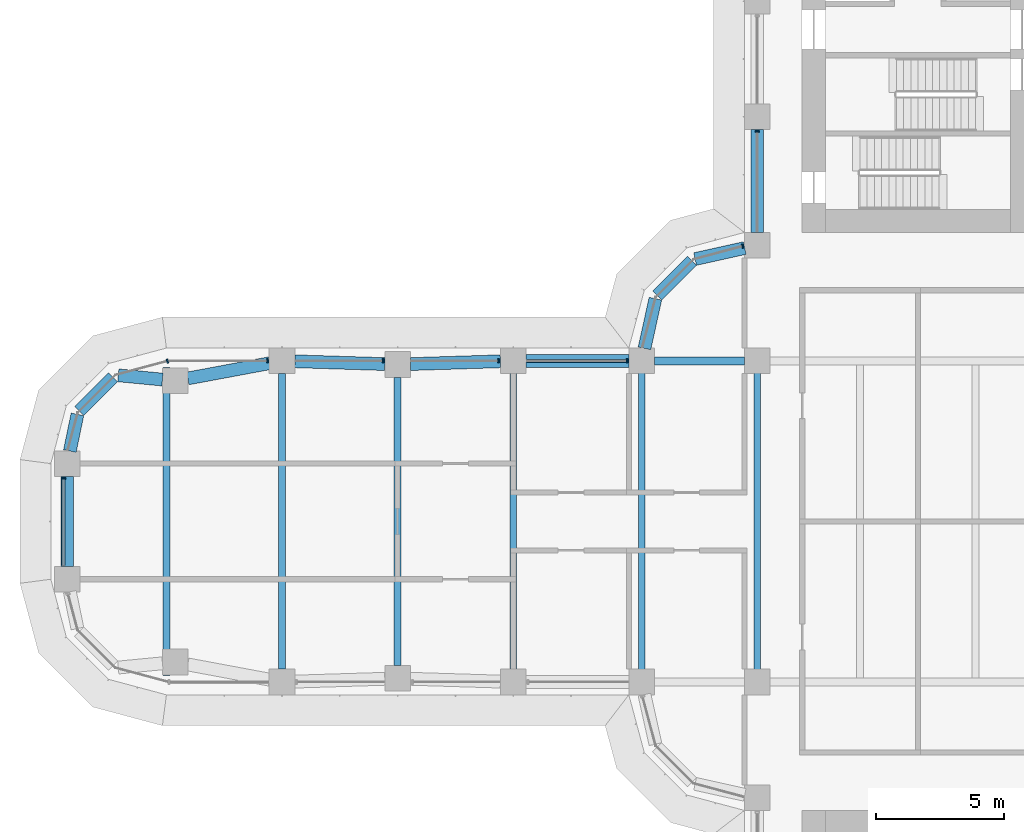
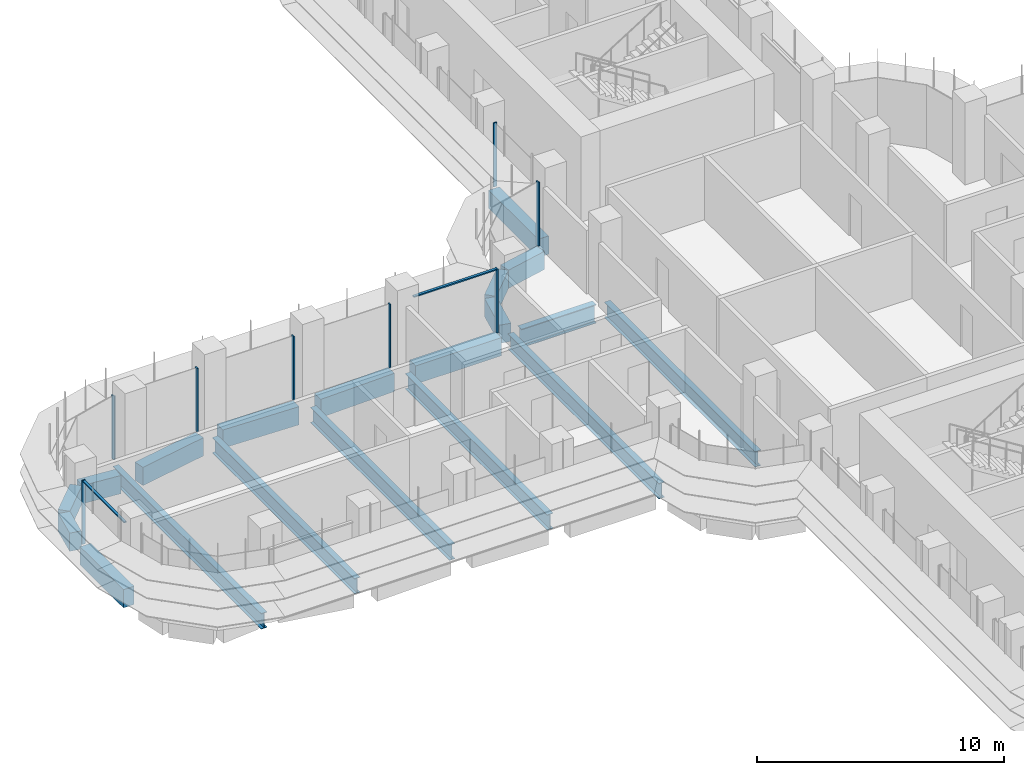
# One storey, part 6 of 23: 19 beams, 10 members, 5 elements without a shape of their own.
"""IFC4 building model written with IfcOpenShell, lengths in metres."""

from ifc_helpers import new_model, si_unit, direction, frame, origin, origin_2d, place, context, subcontext, project, spatial, polyline, rectangle, i_section, outline, extrude, source, transform, mapped, material, material_profile, profile_set, type_object, element, aggregate, save


model = new_model("IFC4")

# Units and contexts
model_context = context("Model", 3, precision=1e-05, world=origin(), true_north=direction((0.0, 1.0)))
body_context = subcontext(model_context, "Body", "Model", "MODEL_VIEW")
ifc_project = project(units=[si_unit("LENGTHUNIT", "METRE"), si_unit("AREAUNIT", "SQUARE_METRE"), si_unit("VOLUMEUNIT", "CUBIC_METRE"), si_unit("PLANEANGLEUNIT", "RADIAN"), si_unit("MASSUNIT", "GRAM", prefix="KILO")], contexts=[model_context])

# Site, building, storey
site_placement = place(None, origin())
site = spatial("IfcSite", under=ifc_project, at=site_placement, CompositionType="ELEMENT")
building_placement = place(site_placement, origin())
building = spatial("IfcBuilding", under=site, at=building_placement, Name="Zarbagh Exchange Tower", CompositionType="ELEMENT")
storey_placement = place(building_placement, frame((0.0, 0.0, 60.60009765625)))
storey = spatial("IfcBuildingStorey", under=building, at=storey_placement, Name="L13", CompositionType="ELEMENT", Elevation=60.60009765625)

# Beams
ifc_material_1 = material(Name="Steel ASTM A992 Gr 50", Category="steel")
ifc_material_profile_1 = material_profile(ifc_material_1, i_section(OverallWidth=0.2666015625, OverallDepth=0.76708984375, WebThickness=0.014892578125, FlangeThickness=0.023681640625, at=origin_2d()), Name="W30X124")
ifc_profile_set_1 = profile_set([ifc_material_profile_1], Name="Steel ASTM A992 Gr 50")
beam_type_1 = type_object("IfcBeamType", Name="Floor beam W30X124", PredefinedType="BEAM", material=ifc_profile_set_1)
for number, where, z_axis, x_axis, name in (
    (1, (-10.75, -6.09765625, -0.53369140625), (0.0, 1.0, 0.0), (-1.0, 0.0, 0.0), "Steel floor beam"),
    (2, (-6.25, -6.09765625, -0.53369140625), (0.0, 1.0, 0.0), (-1.0, 0.0, 0.0), "Steel floor beam"),
):
    element("IfcBeam", number, at=place(storey_placement, frame(where, z_axis=z_axis, x_axis=x_axis)), inside=storey, type_object=beam_type_1, Name=name, PredefinedType="BEAM", context=body_context, shape_type="SweptSolid", body=[
        extrude(i_section(OverallWidth=0.2666015625, OverallDepth=0.76708984375, WebThickness=0.014892578125, FlangeThickness=0.023681640625, at=origin_2d()), origin(), (0.0, 0.0, 1.0), 12.1953125),
    ])
beam_1_placement = place(storey_placement, frame((-15.75, -5.75, -0.53369140625), z_axis=(0.0, 1.0, 0.0), x_axis=(-1.0, 0.0, 0.0)))
element("IfcBeam", 3, at=beam_1_placement, inside=storey, type_object=beam_type_1, Name="Steel floor beam", PredefinedType="BEAM", context=body_context, shape_type="SweptSolid", body=[
    extrude(i_section(OverallWidth=0.2666015625, OverallDepth=0.76708984375, WebThickness=0.014892578125, FlangeThickness=0.023681640625, at=origin_2d()), origin(), (0.0, 0.0, 1.0), 11.5),
])
beam_2_placement = place(storey_placement, frame((-20.25, -5.610107421875, -0.53369140625), z_axis=(0.0, 1.0, 0.0), x_axis=(-1.0, 0.0, 0.0)))
element("IfcBeam", 4, at=beam_2_placement, inside=storey, type_object=beam_type_1, Name="Steel floor beam", PredefinedType="BEAM", context=body_context, shape_type="SweptSolid", body=[
    extrude(i_section(OverallWidth=0.2666015625, OverallDepth=0.76708984375, WebThickness=0.014892578125, FlangeThickness=0.023681640625, at=origin_2d()), origin(), (0.0, 0.0, 1.0), 11.22021484375),
])
beam_3_placement = place(storey_placement, frame((-24.75, -5.75, -0.53369140625), z_axis=(0.0, 1.0, 0.0), x_axis=(-1.0, 0.0, 0.0)))
element("IfcBeam", 5, at=beam_3_placement, inside=storey, type_object=beam_type_1, Name="Steel floor beam", PredefinedType="BEAM", context=body_context, shape_type="SweptSolid", body=[
    extrude(i_section(OverallWidth=0.2666015625, OverallDepth=0.76708984375, WebThickness=0.014892578125, FlangeThickness=0.023681640625, at=origin_2d()), origin(), (0.0, 0.0, 1.0), 11.5),
])
beam_4_placement = place(storey_placement, frame((-29.25, -6.0, -0.53369140625), z_axis=(0.0, 1.0, 0.0), x_axis=(-1.0, 0.0, 0.0)))
element("IfcBeam", 6, at=beam_4_placement, inside=storey, type_object=beam_type_1, Name="Steel floor beam", PredefinedType="BEAM", context=body_context, shape_type="SweptSolid", body=[
    extrude(i_section(OverallWidth=0.2666015625, OverallDepth=0.76708984375, WebThickness=0.014892578125, FlangeThickness=0.023681640625, at=origin_2d()), origin(), (0.0, 0.0, 1.0), 12.0),
])
ifc_material_profile_2 = material_profile(ifc_material_1, i_section(OverallWidth=0.3046875, OverallDepth=0.91943359375, WebThickness=0.017333984375, FlangeThickness=0.02783203125, at=origin_2d()), Name="W36X170")
ifc_profile_set_2 = profile_set([ifc_material_profile_2], Name="Steel ASTM A992 Gr 50")
beam_type_2 = type_object("IfcBeamType", Name="Floor girder W36X170", PredefinedType="BEAM", material=ifc_profile_set_2)
beam_5_placement = place(storey_placement, frame((-10.25, 6.25, -0.60986328125), z_axis=(1.0, 0.0, 0.0), x_axis=(0.0, 1.0, 0.0)))
element("IfcBeam", 7, at=beam_5_placement, inside=storey, type_object=beam_type_2, Name="Steel girder", PredefinedType="BEAM", context=body_context, shape_type="SweptSolid", body=[
    extrude(i_section(OverallWidth=0.3046875, OverallDepth=0.91943359375, WebThickness=0.017333984375, FlangeThickness=0.02783203125, at=origin_2d()), origin(), (0.0, 0.0, 1.0), 3.5),
])
ifc_material_2 = material(Name="Concrete C60/75", Category="concrete")
ifc_material_profile_3 = material_profile(ifc_material_2, rectangle(XDim=0.5, YDim=0.89990234375, at=origin_2d()), Name="RC spandrel beam 500 x 900 C60/75")
ifc_profile_set_3 = profile_set([ifc_material_profile_3], Name="Concrete C60/75")
beam_type_3 = type_object("IfcBeamType", Name="RC spandrel beam 500 x 900 C60/75", PredefinedType="SPANDREL", material=ifc_profile_set_3)
beam_6_placement = place(storey_placement, frame((-33.110107421875, -1.75, -0.60009765625), z_axis=(0.0, 1.0, 0.0), x_axis=(-1.0, 0.0, 0.0)))
element("IfcBeam", 8, at=beam_6_placement, inside=storey, type_object=beam_type_3, Name="RC spandrel beam", PredefinedType="SPANDREL", context=body_context, shape_type="SweptSolid", body=[
    extrude(rectangle(XDim=0.5, YDim=0.89990234375, at=origin_2d()), origin(), (0.0, 0.0, 1.0), 3.5),
])
beam_7_placement = place(storey_placement, frame((-33.0087890625, 2.73974609375, -0.60009765625), z_axis=(0.202068589164, 0.9793713725, 0.0), x_axis=(-0.9793713725, 0.202068589164, 0.0)))
element("IfcBeam", 9, at=beam_7_placement, inside=storey, type_object=beam_type_3, Name="RC spandrel beam", PredefinedType="SPANDREL", context=body_context, shape_type="SweptSolid", body=[
    extrude(rectangle(XDim=0.5, YDim=0.89990234375, at=origin_2d()), origin(), (0.0, 0.0, 1.0), 1.458251953125),
])
beam_8_placement = place(storey_placement, frame((-32.64599609375, 4.294189453125, -0.60009765625), z_axis=(0.707172099812, 0.707041456527, 0.0), x_axis=(-0.707041456527, 0.707172099812, 0.0)))
element("IfcBeam", 10, at=beam_8_placement, inside=storey, type_object=beam_type_3, Name="RC spandrel beam", PredefinedType="SPANDREL", context=body_context, shape_type="SweptSolid", body=[
    extrude(rectangle(XDim=0.5, YDim=0.89990234375, at=origin_2d()), origin(), (0.0, 0.0, 1.0), 1.86865234375),
])
beam_9_placement = place(storey_placement, frame((-31.123779296875, 5.6875, -0.60009765625), z_axis=(0.995431032456, -0.095483294999, 0.0), x_axis=(0.095483294999, 0.995431032456, 0.0)))
element("IfcBeam", 11, at=beam_9_placement, inside=storey, type_object=beam_type_3, Name="RC spandrel beam", PredefinedType="SPANDREL", context=body_context, shape_type="SweptSolid", body=[
    extrude(rectangle(XDim=0.5, YDim=0.89990234375, at=origin_2d()), origin(), (0.0, 0.0, 1.0), 1.725830078125),
])
beam_10_placement = place(storey_placement, frame((-28.41650390625, 5.566650390625, -0.60009765625), z_axis=(0.983069300761, 0.183234139565, 0.0), x_axis=(-0.183234139565, 0.983069300761, 0.0)))
element("IfcBeam", 12, at=beam_10_placement, inside=storey, type_object=beam_type_3, Name="RC spandrel beam", PredefinedType="SPANDREL", context=body_context, shape_type="SweptSolid", body=[
    extrude(rectangle(XDim=0.5, YDim=0.89990234375, at=origin_2d()), origin(), (0.0, 0.0, 1.0), 3.229736328125),
])
for number, where, z_axis, x_axis, name in (
    (13, (-24.250244140625, 6.234619140625, -0.60009765625), (0.999514385708, -0.031160756759, 0.0), (0.031160756759, 0.999514385708, 0.0), "RC spandrel beam"),
    (14, (-19.750244140625, 6.12548828125, -0.60009765625), (0.999514385708, 0.031160756759, 0.0), (-0.031160756759, 0.999514385708, 0.0), "RC spandrel beam"),
):
    element("IfcBeam", number, at=place(storey_placement, frame(where, z_axis=z_axis, x_axis=x_axis)), inside=storey, type_object=beam_type_3, Name=name, PredefinedType="SPANDREL", context=body_context, shape_type="SweptSolid", body=[
        extrude(rectangle(XDim=0.5, YDim=0.89990234375, at=origin_2d()), origin(), (0.0, 0.0, 1.0), 3.502197265625),
    ])
beam_11_placement = place(storey_placement, frame((-15.25, 6.25, -0.60009765625), z_axis=(1.0, 0.0, 0.0), x_axis=(0.0, 1.0, 0.0)))
element("IfcBeam", 15, at=beam_11_placement, inside=storey, type_object=beam_type_3, Name="RC spandrel beam", PredefinedType="SPANDREL", context=body_context, shape_type="SweptSolid", body=[
    extrude(rectangle(XDim=0.5, YDim=0.89990234375, at=origin_2d()), origin(), (0.0, 0.0, 1.0), 4.0),
])
beam_12_placement = place(storey_placement, frame((-10.64208984375, 6.73828125, -0.60009765625), z_axis=(0.216081063242, 0.976375426825, 0.0), x_axis=(-0.976375426825, 0.216081063242, 0.0)))
element("IfcBeam", 16, at=beam_12_placement, inside=storey, type_object=beam_type_3, Name="RC spandrel beam", PredefinedType="SPANDREL", context=body_context, shape_type="SweptSolid", body=[
    extrude(rectangle(XDim=0.5, YDim=0.89990234375, at=origin_2d()), origin(), (0.0, 0.0, 1.0), 1.978271484375),
])
beam_13_placement = place(storey_placement, frame((-10.147216796875, 8.792724609375, -0.60009765625), z_axis=(0.707106781187, 0.707106781187, 0.0), x_axis=(-0.707106781187, 0.707106781187, 0.0)))
element("IfcBeam", 17, at=beam_13_placement, inside=storey, type_object=beam_type_3, Name="RC spandrel beam", PredefinedType="SPANDREL", context=body_context, shape_type="SweptSolid", body=[
    extrude(rectangle(XDim=0.5, YDim=0.89990234375, at=origin_2d()), origin(), (0.0, 0.0, 1.0), 1.91552734375),
])
beam_14_placement = place(storey_placement, frame((-8.669921875, 10.214599609375, -0.60009765625), z_axis=(0.976375426825, 0.216081063242, 0.0), x_axis=(-0.216081063242, 0.976375426825, 0.0)))
element("IfcBeam", 18, at=beam_14_placement, inside=storey, type_object=beam_type_3, Name="RC spandrel beam", PredefinedType="SPANDREL", context=body_context, shape_type="SweptSolid", body=[
    extrude(rectangle(XDim=0.5, YDim=0.89990234375, at=origin_2d()), origin(), (0.0, 0.0, 1.0), 1.978271484375),
])
beam_15_placement = place(storey_placement, frame((-6.25, 11.25, -0.60009765625), z_axis=(0.0, 1.0, 0.0), x_axis=(-1.0, 0.0, 0.0)))
element("IfcBeam", 19, at=beam_15_placement, inside=storey, type_object=beam_type_3, Name="RC spandrel beam", PredefinedType="SPANDREL", context=body_context, shape_type="SweptSolid", body=[
    extrude(rectangle(XDim=0.5, YDim=0.89990234375, at=origin_2d()), origin(), (0.0, 0.0, 1.0), 4.0),
])

# Curtain wall, member
ifc_material_3 = material(Name="Anodised aluminium frame and glazing", Category="aluminium")
curtain_wall_type = type_object("IfcCurtainWallType", Name="CWA Ribbon glazing, lower zones", PredefinedType="NOTDEFINED", material=ifc_material_3)
curtain_wall_1_placement = place(storey_placement, origin())
curtain_wall_1 = element("IfcCurtainWall", 20, at=curtain_wall_1_placement, inside=storey, type_object=curtain_wall_type, Name="CWA28 curtain wall", PredefinedType="NOTDEFINED")
ifc_material_4 = material(Name="Anodised aluminium frame", Category="aluminium")
member_type_1 = type_object("IfcMemberType", Name="MUA Mullion, anodised aluminium frame", PredefinedType="MULLION", material=ifc_material_4)
shared_shape_1 = source(origin(), body_context, "Body", "SweptSolid", [
    extrude(outline(polyline([(0.0, -0.080078125), (0.06005859375, -0.080078125), (0.06005859375, 0.080078125), (0.0, 0.080078125), (0.0, -0.080078125)])), origin(), (0.0, 0.0, 1.0), 3.14990234375),
])
placement = place(storey_placement, origin())
member_1 = element("IfcMember", 21, at=placement, type_object=member_type_1, Name="CWA28 mullion 5.1", PredefinedType="MULLION", context=body_context, shape_type="MappedRepresentation", body=[
    mapped(shared_shape_1, transform((-6.25, 15.2099609375, 0.0), x_axis=(0.0, -1.0, 0.0), y_axis=(1.0, 0.0, 0.0), z_axis=(0.0, 0.0, 1.0))),
])
aggregate(curtain_wall_1, [member_1])

curtain_wall_2_placement = place(storey_placement, origin())
curtain_wall_2 = element("IfcCurtainWall", 22, at=curtain_wall_2_placement, inside=storey, type_object=curtain_wall_type, Name="CWA29 curtain wall", PredefinedType="NOTDEFINED")
member_2 = element("IfcMember", 23, at=placement, type_object=member_type_1, Name="CWA29 mullion 1.1", PredefinedType="MULLION", context=body_context, shape_type="MappedRepresentation", body=[
    mapped(shared_shape_1, transform((-6.7900390625, 10.7216796875, 0.0), x_axis=(-0.965924289636, -0.258824779902, 0.0), y_axis=(0.258824779902, -0.965924289636, 0.0), z_axis=(0.0, 0.0, 1.0))),
])
aggregate(curtain_wall_2, [member_2])

# Curtain wall, members
curtain_wall_3_placement = place(storey_placement, origin())
curtain_wall_3 = element("IfcCurtainWall", 24, at=curtain_wall_3_placement, inside=storey, type_object=curtain_wall_type, Name="CWA32 curtain wall", PredefinedType="NOTDEFINED")
member_3 = element("IfcMember", 25, at=placement, type_object=member_type_1, Name="CWA32 mullion 1.1", PredefinedType="MULLION", context=body_context, shape_type="MappedRepresentation", body=[
    mapped(shared_shape_1, transform((-11.2900390625, 6.25, 0.0), x_axis=(-1.0, 0.0, 0.0), y_axis=(0.0, -1.0, 0.0), z_axis=(0.0, 0.0, 1.0))),
])
member_4 = element("IfcMember", 26, at=placement, type_object=member_type_1, Name="CWA32 mullion 2.1", PredefinedType="MULLION", context=body_context, shape_type="MappedRepresentation", body=[
    mapped(shared_shape_1, transform((-16.2900390625, 6.25, 0.0), x_axis=(-1.0, 0.0, 0.0), y_axis=(0.0, -1.0, 0.0), z_axis=(0.0, 0.0, 1.0))),
])
member_5 = element("IfcMember", 27, at=placement, type_object=member_type_1, Name="CWA32 mullion 3.1", PredefinedType="MULLION", context=body_context, shape_type="MappedRepresentation", body=[
    mapped(shared_shape_1, transform((-20.7900390625, 6.25, 0.0), x_axis=(-1.0, 0.0, 0.0), y_axis=(0.0, -1.0, 0.0), z_axis=(0.0, 0.0, 1.0))),
])
member_6 = element("IfcMember", 28, at=placement, type_object=member_type_1, Name="CWA32 mullion 4.1", PredefinedType="MULLION", context=body_context, shape_type="MappedRepresentation", body=[
    mapped(shared_shape_1, transform((-25.2900390625, 6.25, 0.0), x_axis=(-1.0, 0.0, 0.0), y_axis=(0.0, -1.0, 0.0), z_axis=(0.0, 0.0, 1.0))),
])

# Curtain wall, member
curtain_wall_4_placement = place(storey_placement, origin())
curtain_wall_4 = element("IfcCurtainWall", 29, at=curtain_wall_4_placement, inside=storey, type_object=curtain_wall_type, Name="CWA33 curtain wall", PredefinedType="NOTDEFINED")
member_7 = element("IfcMember", 30, at=placement, type_object=member_type_1, Name="CWA33 mullion 1.1", PredefinedType="MULLION", context=body_context, shape_type="MappedRepresentation", body=[
    mapped(shared_shape_1, transform((-29.18408203125, 6.25, 0.0), x_axis=(-0.965924289636, -0.258824779902, 0.0), y_axis=(0.258824779902, -0.965924289636, 0.0), z_axis=(0.0, 0.0, 1.0))),
])
aggregate(curtain_wall_4, [member_7])

curtain_wall_5_placement = place(storey_placement, origin())
curtain_wall_5 = element("IfcCurtainWall", 31, at=curtain_wall_5_placement, inside=storey, type_object=curtain_wall_type, Name="CWA36 curtain wall", PredefinedType="NOTDEFINED")
member_8 = element("IfcMember", 32, at=placement, type_object=member_type_1, Name="CWA36 mullion 1.1", PredefinedType="MULLION", context=body_context, shape_type="MappedRepresentation", body=[
    mapped(shared_shape_1, transform((-33.25, 1.7099609375, 0.0), x_axis=(0.0, -1.0, 0.0), y_axis=(1.0, 0.0, 0.0), z_axis=(0.0, 0.0, 1.0))),
])

# Member
member_type_2 = type_object("IfcMemberType", Name="TRA Transom, anodised aluminium frame", PredefinedType="USERDEFINED", material=ifc_material_4)
shared_shape_2 = source(origin(), body_context, "Body", "SweptSolid", [
    extrude(outline(polyline([(-0.06005859375, -0.06005859375), (0.0, -0.06005859375), (0.0, 0.06005859375), (-0.06005859375, 0.06005859375), (-0.06005859375, -0.06005859375)])), origin(), (0.0, 0.0, 1.0), 3.860107421875),
])
member_9 = element("IfcMember", 33, at=placement, type_object=member_type_2, Name="CWA32 transom 1.1", ObjectType="TRANSOM", PredefinedType="USERDEFINED", context=body_context, shape_type="MappedRepresentation", body=[
    mapped(shared_shape_2, transform((-11.35009765625, 6.25, 3.14990234375), x_axis=(0.0, 0.0, 1.0), y_axis=(0.0, 1.0, 0.0), z_axis=(-1.0, 0.0, 0.0))),
])

aggregate(curtain_wall_3, [member_3, member_9, member_4, member_5, member_6])

shared_shape_3 = source(origin(), body_context, "Body", "SweptSolid", [
    extrude(outline(polyline([(-0.06005859375, -0.06005859375), (0.0, -0.06005859375), (0.0, 0.06005859375), (-0.06005859375, 0.06005859375), (-0.06005859375, -0.06005859375)])), origin(), (0.0, 0.0, 1.0), 3.360107421875),
])
member_10 = element("IfcMember", 34, at=placement, type_object=member_type_2, Name="CWA36 transom 1.1", ObjectType="TRANSOM", PredefinedType="USERDEFINED", context=body_context, shape_type="MappedRepresentation", body=[
    mapped(shared_shape_3, transform((-33.25, 1.64990234375, 3.14990234375), x_axis=(0.0, 0.0, 1.0), y_axis=(-1.0, 0.0, 0.0), z_axis=(0.0, -1.0, 0.0))),
])

aggregate(curtain_wall_5, [member_8, member_10])

save(model, "model.ifc")
